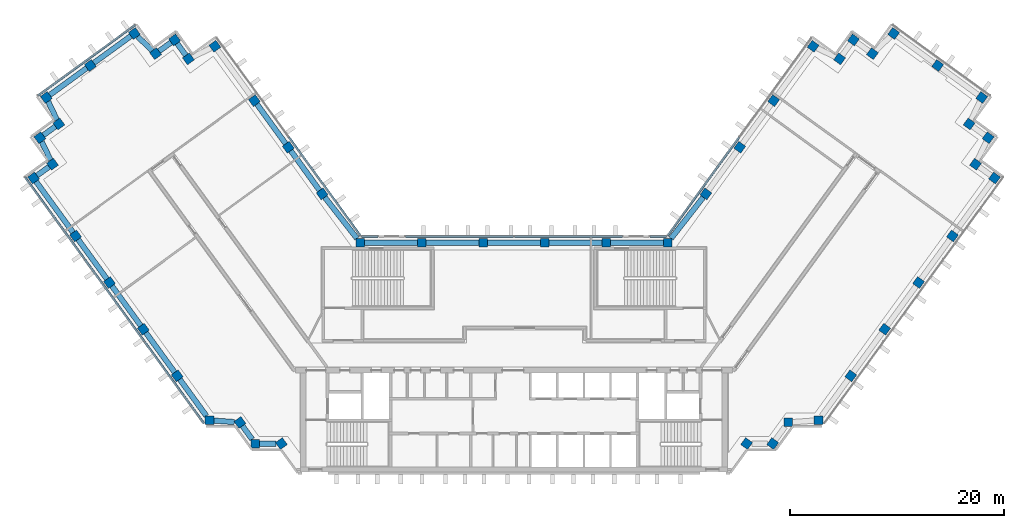
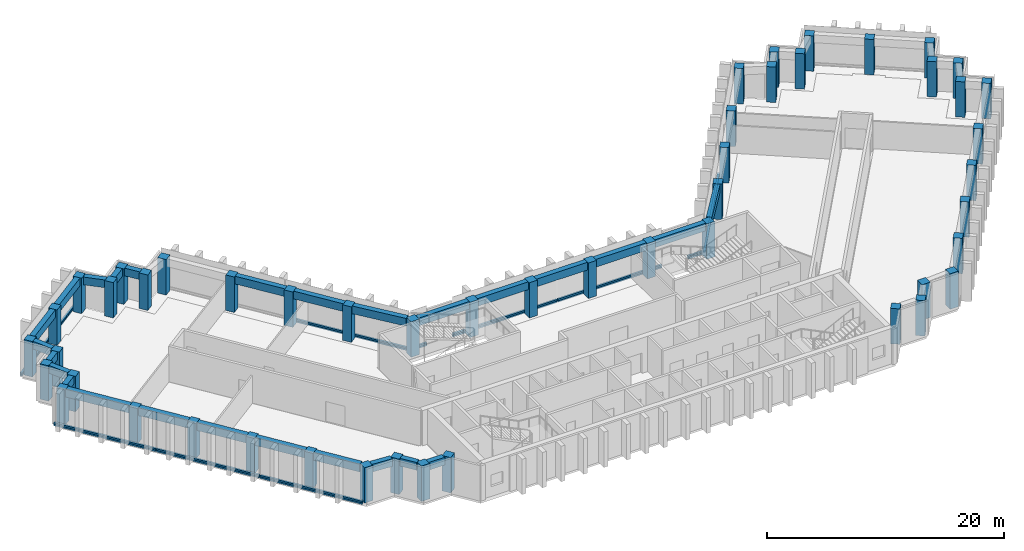
"""IFC4 building model written with IfcOpenShell, lengths in metres."""

from ifc_helpers import new_model, si_unit, direction, frame, origin, origin_2d, place, context, subcontext, project, spatial, rectangle, extrude, material, material_profile, profile_set, type_object, element, aggregate, save


model = new_model("IFC4")

# Units and contexts
model_context = context("Model", 3, precision=1e-05, world=origin(), true_north=direction((0.0, 1.0)))
body_context = subcontext(model_context, "Body", "Model", "MODEL_VIEW")
ifc_project = project(units=[si_unit("LENGTHUNIT", "METRE"), si_unit("AREAUNIT", "SQUARE_METRE"), si_unit("VOLUMEUNIT", "CUBIC_METRE"), si_unit("PLANEANGLEUNIT", "RADIAN"), si_unit("MASSUNIT", "GRAM", prefix="KILO")], contexts=[model_context])

# Site, building, storey
site_placement = place(None, origin())
site = spatial("IfcSite", under=ifc_project, at=site_placement, CompositionType="ELEMENT")
building_placement = place(site_placement, origin())
building = spatial("IfcBuilding", under=site, at=building_placement, Name="Quipu Civic Tower", CompositionType="ELEMENT")
storey_1_placement = place(building_placement, frame((0.0, 0.0, 180.0)))
storey_1 = spatial("IfcBuildingStorey", under=building, at=storey_1_placement, Name="L42", CompositionType="ELEMENT", Elevation=180.0)

# Columns
ifc_material_1 = material(Name="Concrete C60/75", Category="concrete")
ifc_material_profile_1 = material_profile(ifc_material_1, rectangle(XDim=0.800048828125, YDim=0.800048828125, at=origin_2d()), Name="RC800x800")
ifc_profile_set_1 = profile_set([ifc_material_profile_1], Name="Concrete C60/75")
column_type = type_object("IfcColumnType", Name="Perimeter column RC 800x800 C60/75", PredefinedType="COLUMN", material=ifc_profile_set_1)
for number, where, z_axis, x_axis, name in (
    (1, (-17.9736328125, 15.074951171875, 0.0), (0.0, 0.0, 1.0), (-0.587785252292, 0.809016994375, 0.0), "Column L42 W-IN-01"),
    (2, (-21.1474609375, 19.44384765625, 0.0), (0.0, 0.0, 1.0), (-0.587785252292, 0.809016994375, 0.0), "Column L42 W-IN-02"),
    (3, (-24.3212890625, 23.8125, 0.0), (0.0, 0.0, 1.0), (-0.587785252292, 0.809016994375, 0.0), "Column L42 W-IN-03"),
    (4, (-28.02001953125, 28.905029296875, 0.0), (0.0, 0.0, 1.0), (-0.809016994375, -0.587785252292, 0.0), "Column L42 T-Wi.0-W34"),
    (5, (-30.498779296875, 27.72265625, 0.0), (0.0, 0.0, 1.0), (-0.809016994375, -0.587785252292, 0.0), "Column L42 T-Wi.1-W34"),
    (6, (-31.794921875, 29.5, 0.0), (0.0, 0.0, 1.0), (-0.587785252292, 0.809016994375, 0.0), "Column L42 T-Wi.2-W34"),
    (7, (-33.573974609375, 28.20947265625, 0.0), (0.0, 0.0, 1.0), (-0.587785252292, 0.809016994375, 0.0), "Column L42 T-Wi.3-W34"),
    (8, (-35.56494140625, 30.10009765625, 0.0), (0.0, 0.0, 1.0), (-0.809016994375, -0.587785252292, 0.0), "Column L42 T-Wi.4-W34"),
    (9, (-39.690673828125, 27.10205078125, 0.0), (0.0, 0.0, 1.0), (-0.809016994375, -0.587785252292, 0.0), "Column L42 TIP-W-01-W34"),
    (10, (-43.81494140625, 24.10498046875, 0.0), (0.0, 0.0, 1.0), (-0.809016994375, -0.587785252292, 0.0), "Column L42 T-Wo.0-W34"),
    (11, (-42.635009765625, 21.626220703125, 0.0), (0.0, 0.0, 1.0), (-0.809016994375, -0.587785252292, 0.0), "Column L42 T-Wo.1-W34"),
    (12, (-44.4150390625, 20.3349609375, 0.0), (0.0, 0.0, 1.0), (0.587785252292, -0.809016994375, 0.0), "Column L42 T-Wo.2-W34"),
    (13, (-43.23095703125, 17.8544921875, 0.0), (0.0, 0.0, 1.0), (0.587785252292, -0.809016994375, 0.0), "Column L42 T-Wo.3-W34"),
    (14, (-45.010009765625, 16.56005859375, 0.0), (0.0, 0.0, 1.0), (0.587785252292, -0.809016994375, 0.0), "Column L42 T-Wo.4-W34"),
    (15, (-41.0703125, 11.137451171875, 0.0), (0.0, 0.0, 1.0), (0.587785252292, -0.809016994375, 0.0), "Column L42 W-OUT-04"),
    (16, (-37.896240234375, 6.768798828125, 0.0), (0.0, 0.0, 1.0), (0.587785252292, -0.809016994375, 0.0), "Column L42 W-OUT-03"),
    (17, (-34.722412109375, 2.39990234375, 0.0), (0.0, 0.0, 1.0), (0.587785252292, -0.809016994375, 0.0), "Column L42 W-OUT-02"),
    (18, (-31.54833984375, -1.96875, 0.0), (0.0, 0.0, 1.0), (0.587785252292, -0.809016994375, 0.0), "Column L42 W-OUT-01"),
    (19, (-28.52490234375, -6.1298828125, 0.0), (0.0, 0.0, 1.0), (1.0, 0.0, 0.0), "Column L42 J-Wo.0"),
    (20, (-25.67431640625, -6.3369140625, 0.0), (0.0, 0.0, 1.0), (0.587785252292, -0.809016994375, 0.0), "Column L42 J-Wo.1"),
    (21, (-24.235107421875, -8.31494140625, 0.0), (0.0, 0.0, 1.0), (1.0, 0.0, 0.0), "Column L42 J-Wo.2"),
    (22, (-21.791748046875, -8.31494140625, 0.0), (0.0, 0.0, 1.0), (0.587785252292, -0.809016994375, 0.0), "Column L42 J-Wo.3"),
    (23, (21.791748046875, -8.31494140625, 0.0), (0.0, 0.0, 1.0), (0.587785252292, 0.809016994375, 0.0), "Column L42 J-Eo.1"),
    (24, (24.235107421875, -8.31494140625, 0.0), (0.0, 0.0, 1.0), (0.587785252292, 0.809016994375, 0.0), "Column L42 J-Eo.2"),
    (25, (25.67431640625, -6.3369140625, 0.0), (0.0, 0.0, 1.0), (1.0, 0.0, 0.0), "Column L42 J-Eo.3"),
    (26, (28.52490234375, -6.1298828125, 0.0), (0.0, 0.0, 1.0), (1.0, 0.0, 0.0), "Column L42 J-Eo.4"),
    (27, (31.54833984375, -1.96875, 0.0), (0.0, 0.0, 1.0), (0.587785252292, 0.809016994375, 0.0), "Column L42 E-OUT-01"),
    (28, (34.722412109375, 2.39990234375, 0.0), (0.0, 0.0, 1.0), (0.587785252292, 0.809016994375, 0.0), "Column L42 E-OUT-02"),
    (29, (37.896240234375, 6.768798828125, 0.0), (0.0, 0.0, 1.0), (0.587785252292, 0.809016994375, 0.0), "Column L42 E-OUT-03"),
    (30, (41.0703125, 11.137451171875, 0.0), (0.0, 0.0, 1.0), (0.587785252292, 0.809016994375, 0.0), "Column L42 E-OUT-04"),
    (31, (45.010009765625, 16.56005859375, 0.0), (0.0, 0.0, 1.0), (0.587785252292, 0.809016994375, 0.0), "Column L42 T-Eo.0-E34"),
    (32, (43.23095703125, 17.8544921875, 0.0), (0.0, 0.0, 1.0), (0.587785252292, 0.809016994375, 0.0), "Column L42 T-Eo.1-E34"),
    (33, (44.4150390625, 20.3349609375, 0.0), (0.0, 0.0, 1.0), (0.587785252292, 0.809016994375, 0.0), "Column L42 T-Eo.2-E34"),
    (34, (42.635009765625, 21.626220703125, 0.0), (0.0, 0.0, 1.0), (-0.809016994375, 0.587785252292, 0.0), "Column L42 T-Eo.3-E34"),
    (35, (43.81494140625, 24.10498046875, 0.0), (0.0, 0.0, 1.0), (-0.809016994375, 0.587785252292, 0.0), "Column L42 T-Eo.4-E34"),
    (36, (39.690673828125, 27.10205078125, 0.0), (0.0, 0.0, 1.0), (-0.809016994375, 0.587785252292, 0.0), "Column L42 TIP-E-01-E34"),
    (37, (35.56494140625, 30.10009765625, 0.0), (0.0, 0.0, 1.0), (-0.587785252292, -0.809016994375, 0.0), "Column L42 T-Ei.0-E34"),
    (38, (33.573974609375, 28.20947265625, 0.0), (0.0, 0.0, 1.0), (-0.809016994375, 0.587785252292, 0.0), "Column L42 T-Ei.1-E34"),
    (39, (31.794921875, 29.5, 0.0), (0.0, 0.0, 1.0), (-0.587785252292, -0.809016994375, 0.0), "Column L42 T-Ei.2-E34"),
    (40, (30.498779296875, 27.72265625, 0.0), (0.0, 0.0, 1.0), (-0.809016994375, 0.587785252292, 0.0), "Column L42 T-Ei.3-E34"),
    (41, (28.02001953125, 28.905029296875, 0.0), (0.0, 0.0, 1.0), (-0.809016994375, 0.587785252292, 0.0), "Column L42 T-Ei.4-E34"),
    (42, (24.3212890625, 23.8125, 0.0), (0.0, 0.0, 1.0), (-0.587785252292, -0.809016994375, 0.0), "Column L42 E-IN-03"),
    (43, (21.1474609375, 19.44384765625, 0.0), (0.0, 0.0, 1.0), (-0.587785252292, -0.809016994375, 0.0), "Column L42 E-IN-02"),
    (44, (17.9736328125, 15.074951171875, 0.0), (0.0, 0.0, 1.0), (-0.587785252292, -0.809016994375, 0.0), "Column L42 E-IN-01"),
    (45, (14.395263671875, 10.5, 0.0), (0.0, 0.0, 1.0), (-1.0, 0.0, 0.0), "Column L42 J-Ei.0"),
    (46, (8.63720703125, 10.5, 0.0), (0.0, 0.0, 1.0), (-1.0, 0.0, 0.0), "Column L42 FRONT-01"),
    (47, (2.87890625, 10.5, 0.0), (0.0, 0.0, 1.0), (-1.0, 0.0, 0.0), "Column L42 FRONT-02"),
    (48, (-2.87890625, 10.5, 0.0), (0.0, 0.0, 1.0), (-1.0, 0.0, 0.0), "Column L42 FRONT-03"),
    (49, (-8.63720703125, 10.5, 0.0), (0.0, 0.0, 1.0), (-1.0, 0.0, 0.0), "Column L42 FRONT-04"),
    (50, (-14.395263671875, 10.5, 0.0), (0.0, 0.0, 1.0), (-1.0, 0.0, 0.0), "Column L42 J-Wi.0"),
):
    element("IfcColumn", number, at=place(storey_1_placement, frame(where, z_axis=z_axis, x_axis=x_axis)), inside=storey_1, type_object=column_type, Name=name, PredefinedType="COLUMN", context=body_context, shape_type="SweptSolid", body=[
        extrude(rectangle(XDim=0.800048828125, YDim=0.800048828125, at=origin_2d()), origin(), (0.0, 0.0, 1.0), 3.64990234375),
    ])

# Beams
ifc_material_2 = material(Name="Concrete C50/60", Category="concrete")
ifc_material_profile_2 = material_profile(ifc_material_2, rectangle(XDim=0.5, YDim=0.800048828125, at=origin_2d()), Name="RC500x800")
ifc_profile_set_2 = profile_set([ifc_material_profile_2], Name="Concrete C50/60")
beam_type = type_object("IfcBeamType", Name="Spandrel beam RC 500x800 C50/60", PredefinedType="SPANDREL", material=ifc_profile_set_2)
beam_1_placement = place(storey_1_placement, frame((-18.208740234375, 15.398681640625, 3.25), z_axis=(-0.58776136044, 0.809034352283, 0.0), x_axis=(-0.809034352283, -0.58776136044, 0.0)))
element("IfcBeam", 51, at=beam_1_placement, inside=storey_1, type_object=beam_type, Name="Spandrel beam L42 W-IN-01 to W-IN-02", PredefinedType="SPANDREL", context=body_context, shape_type="SweptSolid", body=[
    extrude(rectangle(XDim=0.5, YDim=0.800048828125, at=origin_2d()), origin(), (0.0, 0.0, 1.0), 4.599853515625),
])
beam_2_placement = place(storey_1_placement, frame((-21.382568359375, 19.767333984375, 3.25), z_axis=(-0.587736122681, 0.809052686848, 0.0), x_axis=(-0.809052686848, -0.587736122681, 0.0)))
element("IfcBeam", 52, at=beam_2_placement, inside=storey_1, type_object=beam_type, Name="Spandrel beam L42 W-IN-02 to W-IN-03", PredefinedType="SPANDREL", context=body_context, shape_type="SweptSolid", body=[
    extrude(rectangle(XDim=0.5, YDim=0.800048828125, at=origin_2d()), origin(), (0.0, 0.0, 1.0), 4.60009765625),
])
beam_3_placement = place(storey_1_placement, frame((-30.734375, 28.0458984375, 3.25), z_axis=(-0.589342949835, 0.80788296645, 0.0), x_axis=(-0.80788296645, -0.589342949835, 0.0)))
element("IfcBeam", 53, at=beam_3_placement, inside=storey_1, type_object=beam_type, Name="Spandrel beam L42 T-Wi.1-W34 to T-Wi.2-W34", PredefinedType="SPANDREL", context=body_context, shape_type="SweptSolid", body=[
    extrude(rectangle(XDim=0.5, YDim=0.800048828125, at=origin_2d()), origin(), (0.0, 0.0, 1.0), 1.39990234375),
])
beam_4_placement = place(storey_1_placement, frame((-32.118896484375, 29.26513671875, 3.25), z_axis=(-0.80941533633, -0.587236590578, 0.0), x_axis=(0.587236590578, -0.80941533633, 0.0)))
element("IfcBeam", 54, at=beam_4_placement, inside=storey_1, type_object=beam_type, Name="Spandrel beam L42 T-Wi.2-W34 to T-Wi.3-W34", PredefinedType="SPANDREL", context=body_context, shape_type="SweptSolid", body=[
    extrude(rectangle(XDim=0.5, YDim=0.800048828125, at=origin_2d()), origin(), (0.0, 0.0, 1.0), 1.397705078125),
])
beam_5_placement = place(storey_1_placement, frame((-33.868896484375, 28.489501953125, 3.25), z_axis=(-0.72519185421, 0.68854685722, 0.0), x_axis=(-0.68854685722, -0.72519185421, 0.0)))
element("IfcBeam", 55, at=beam_5_placement, inside=storey_1, type_object=beam_type, Name="Spandrel beam L42 T-Wi.3-W34 to T-Wi.4-W34", PredefinedType="SPANDREL", context=body_context, shape_type="SweptSolid", body=[
    extrude(rectangle(XDim=0.5, YDim=0.800048828125, at=origin_2d()), origin(), (0.0, 0.0, 1.0), 1.93212890625),
])
beam_6_placement = place(storey_1_placement, frame((-35.888671875, 29.86474609375, 3.25), z_axis=(-0.808983997561, -0.58783066583, 0.0), x_axis=(0.58783066583, -0.808983997561, 0.0)))
element("IfcBeam", 56, at=beam_6_placement, inside=storey_1, type_object=beam_type, Name="Spandrel beam L42 T-Wi.4-W34 to TIP-W-01-W34", PredefinedType="SPANDREL", context=body_context, shape_type="SweptSolid", body=[
    extrude(rectangle(XDim=0.5, YDim=0.800048828125, at=origin_2d()), origin(), (0.0, 0.0, 1.0), 4.2998046875),
])
beam_7_placement = place(storey_1_placement, frame((-40.014404296875, 26.866943359375, 3.25), z_axis=(-0.808947267178, -0.587881211578, 0.0), x_axis=(0.587881211578, -0.808947267178, 0.0)))
element("IfcBeam", 57, at=beam_7_placement, inside=storey_1, type_object=beam_type, Name="Spandrel beam L42 TIP-W-01-W34 to T-Wo.0-W34", PredefinedType="SPANDREL", context=body_context, shape_type="SweptSolid", body=[
    extrude(rectangle(XDim=0.5, YDim=0.800048828125, at=origin_2d()), origin(), (0.0, 0.0, 1.0), 4.29833984375),
])
beam_8_placement = place(storey_1_placement, frame((-43.64013671875, 23.737548828125, 3.25), z_axis=(0.429889421342, -0.902881545618, 0.0), x_axis=(0.902881545618, 0.429889421342, 0.0)))
element("IfcBeam", 58, at=beam_8_placement, inside=storey_1, type_object=beam_type, Name="Spandrel beam L42 T-Wo.0-W34 to T-Wo.1-W34", PredefinedType="SPANDREL", context=body_context, shape_type="SweptSolid", body=[
    extrude(rectangle(XDim=0.5, YDim=0.800048828125, at=origin_2d()), origin(), (0.0, 0.0, 1.0), 1.931396484375),
])
beam_9_placement = place(storey_1_placement, frame((-42.958740234375, 21.391357421875, 3.25), z_axis=(-0.809467380413, -0.587164849125, 0.0), x_axis=(0.587164849125, -0.809467380413, 0.0)))
element("IfcBeam", 59, at=beam_9_placement, inside=storey_1, type_object=beam_type, Name="Spandrel beam L42 T-Wo.1-W34 to T-Wo.2-W34", PredefinedType="SPANDREL", context=body_context, shape_type="SweptSolid", body=[
    extrude(rectangle(XDim=0.5, YDim=0.800048828125, at=origin_2d()), origin(), (0.0, 0.0, 1.0), 1.399169921875),
])
beam_10_placement = place(storey_1_placement, frame((-44.23974609375, 19.9677734375, 3.25), z_axis=(0.430785642718, -0.902454281406, 0.0), x_axis=(0.902454281406, 0.430785642718, 0.0)))
element("IfcBeam", 60, at=beam_10_placement, inside=storey_1, type_object=beam_type, Name="Spandrel beam L42 T-Wo.2-W34 to T-Wo.3-W34", PredefinedType="SPANDREL", context=body_context, shape_type="SweptSolid", body=[
    extrude(rectangle(XDim=0.5, YDim=0.800048828125, at=origin_2d()), origin(), (0.0, 0.0, 1.0), 1.934814453125),
])
beam_11_placement = place(storey_1_placement, frame((-43.554443359375, 17.619140625, 3.25), z_axis=(-0.808600329101, -0.588358315805, 0.0), x_axis=(0.588358315805, -0.808600329101, 0.0)))
element("IfcBeam", 61, at=beam_11_placement, inside=storey_1, type_object=beam_type, Name="Spandrel beam L42 T-Wo.3-W34 to T-Wo.4-W34", PredefinedType="SPANDREL", context=body_context, shape_type="SweptSolid", body=[
    extrude(rectangle(XDim=0.5, YDim=0.800048828125, at=origin_2d()), origin(), (0.0, 0.0, 1.0), 1.400146484375),
])
beam_12_placement = place(storey_1_placement, frame((-44.77490234375, 16.236328125, 3.25), z_axis=(0.58780026889, -0.809006083965, 0.0), x_axis=(0.809006083965, 0.58780026889, 0.0)))
element("IfcBeam", 62, at=beam_12_placement, inside=storey_1, type_object=beam_type, Name="Spandrel beam L42 T-Wo.4-W34 to W-OUT-04", PredefinedType="SPANDREL", context=body_context, shape_type="SweptSolid", body=[
    extrude(rectangle(XDim=0.5, YDim=0.800048828125, at=origin_2d()), origin(), (0.0, 0.0, 1.0), 5.902587890625),
])
beam_13_placement = place(storey_1_placement, frame((-40.835205078125, 10.81396484375, 3.25), z_axis=(0.587770861189, -0.809027449928, 0.0), x_axis=(0.809027449928, 0.587770861189, 0.0)))
element("IfcBeam", 63, at=beam_13_placement, inside=storey_1, type_object=beam_type, Name="Spandrel beam L42 W-OUT-04 to W-OUT-03", PredefinedType="SPANDREL", context=body_context, shape_type="SweptSolid", body=[
    extrude(rectangle(XDim=0.5, YDim=0.800048828125, at=origin_2d()), origin(), (0.0, 0.0, 1.0), 4.60009765625),
])
beam_14_placement = place(storey_1_placement, frame((-37.6611328125, 6.445068359375, 3.25), z_axis=(0.58776136044, -0.809034352283, 0.0), x_axis=(0.809034352283, 0.58776136044, 0.0)))
element("IfcBeam", 64, at=beam_14_placement, inside=storey_1, type_object=beam_type, Name="Spandrel beam L42 W-OUT-03 to W-OUT-02", PredefinedType="SPANDREL", context=body_context, shape_type="SweptSolid", body=[
    extrude(rectangle(XDim=0.5, YDim=0.800048828125, at=origin_2d()), origin(), (0.0, 0.0, 1.0), 4.599853515625),
])
beam_15_placement = place(storey_1_placement, frame((-34.4873046875, 2.076416015625, 3.25), z_axis=(0.587796098864, -0.809009113768, 0.0), x_axis=(0.809009113768, 0.587796098864, 0.0)))
element("IfcBeam", 65, at=beam_15_placement, inside=storey_1, type_object=beam_type, Name="Spandrel beam L42 W-OUT-02 to W-OUT-01", PredefinedType="SPANDREL", context=body_context, shape_type="SweptSolid", body=[
    extrude(rectangle(XDim=0.5, YDim=0.800048828125, at=origin_2d()), origin(), (0.0, 0.0, 1.0), 4.60009765625),
])
beam_16_placement = place(storey_1_placement, frame((-31.313232421875, -2.292236328125, 3.25), z_axis=(0.58776850526, -0.809029161541, 0.0), x_axis=(0.809029161541, 0.58776850526, 0.0)))
element("IfcBeam", 66, at=beam_16_placement, inside=storey_1, type_object=beam_type, Name="Spandrel beam L42 W-OUT-01 to J-Wo.0", PredefinedType="SPANDREL", context=body_context, shape_type="SweptSolid", body=[
    extrude(rectangle(XDim=0.5, YDim=0.800048828125, at=origin_2d()), origin(), (0.0, 0.0, 1.0), 4.249267578125),
])
beam_17_placement = place(storey_1_placement, frame((-28.125, -6.158935546875, 3.25), z_axis=(0.997370796499, -0.072467194581, 0.0), x_axis=(0.072467194581, 0.997370796499, 0.0)))
element("IfcBeam", 67, at=beam_17_placement, inside=storey_1, type_object=beam_type, Name="Spandrel beam L42 J-Wo.0 to J-Wo.1", PredefinedType="SPANDREL", context=body_context, shape_type="SweptSolid", body=[
    extrude(rectangle(XDim=0.5, YDim=0.800048828125, at=origin_2d()), origin(), (0.0, 0.0, 1.0), 1.933837890625),
])
beam_18_placement = place(storey_1_placement, frame((-25.43896484375, -6.660400390625, 3.25), z_axis=(0.588330737135, -0.808620395329, 0.0), x_axis=(0.808620395329, 0.588330737135, 0.0)))
element("IfcBeam", 68, at=beam_18_placement, inside=storey_1, type_object=beam_type, Name="Spandrel beam L42 J-Wo.1 to J-Wo.2", PredefinedType="SPANDREL", context=body_context, shape_type="SweptSolid", body=[
    extrude(rectangle(XDim=0.5, YDim=0.800048828125, at=origin_2d()), origin(), (0.0, 0.0, 1.0), 1.551513671875),
])
beam_19_placement = place(storey_1_placement, frame((-23.8349609375, -8.31494140625, 3.25), z_axis=(1.0, 0.0, 0.0), x_axis=(0.0, 1.0, 0.0)))
element("IfcBeam", 69, at=beam_19_placement, inside=storey_1, type_object=beam_type, Name="Spandrel beam L42 J-Wo.2 to J-Wo.3", PredefinedType="SPANDREL", context=body_context, shape_type="SweptSolid", body=[
    extrude(rectangle(XDim=0.5, YDim=0.800048828125, at=origin_2d()), origin(), (0.0, 0.0, 1.0), 1.548828125),
])
beam_20_placement = place(storey_1_placement, frame((17.72705078125, 14.759765625, 3.25), z_axis=(-0.616090612932, -0.787675286306, 0.0), x_axis=(0.787675286306, -0.616090612932, 0.0)))
element("IfcBeam", 70, at=beam_20_placement, inside=storey_1, type_object=beam_type, Name="Spandrel beam L42 E-IN-01 to J-Ei.0", PredefinedType="SPANDREL", context=body_context, shape_type="SweptSolid", body=[
    extrude(rectangle(XDim=0.5, YDim=0.800048828125, at=origin_2d()), origin(), (0.0, 0.0, 1.0), 4.900390625),
])
for number, where, z_axis, x_axis, name in (
    (71, (13.9951171875, 10.5, 3.25), (-1.0, 0.0, 0.0), (0.0, -1.0, 0.0), "Spandrel beam L42 J-Ei.0 to FRONT-01"),
    (72, (8.237060546875, 10.5, 3.25), (-1.0, 0.0, 0.0), (0.0, -1.0, 0.0), "Spandrel beam L42 FRONT-01 to FRONT-02"),
    (73, (2.47900390625, 10.5, 3.25), (-1.0, 0.0, 0.0), (0.0, -1.0, 0.0), "Spandrel beam L42 FRONT-02 to FRONT-03"),
    (74, (-3.279052734375, 10.5, 3.25), (-1.0, 0.0, 0.0), (0.0, -1.0, 0.0), "Spandrel beam L42 FRONT-03 to FRONT-04"),
    (75, (-9.037109375, 10.5, 3.25), (-1.0, 0.0, 0.0), (0.0, -1.0, 0.0), "Spandrel beam L42 FRONT-04 to J-Wi.0"),
):
    element("IfcBeam", number, at=place(storey_1_placement, frame(where, z_axis=z_axis, x_axis=x_axis)), inside=storey_1, type_object=beam_type, Name=name, PredefinedType="SPANDREL", context=body_context, shape_type="SweptSolid", body=[
        extrude(rectangle(XDim=0.5, YDim=0.800048828125, at=origin_2d()), origin(), (0.0, 0.0, 1.0), 4.9580078125),
    ])
beam_21_placement = place(storey_1_placement, frame((-14.7080078125, 10.89990234375, 3.25), z_axis=(-0.616090612932, 0.787675286306, 0.0), x_axis=(-0.787675286306, -0.616090612932, 0.0)))
element("IfcBeam", 76, at=beam_21_placement, inside=storey_1, type_object=beam_type, Name="Spandrel beam L42 J-Wi.0 to W-IN-01", PredefinedType="SPANDREL", context=body_context, shape_type="SweptSolid", body=[
    extrude(rectangle(XDim=0.5, YDim=0.800048828125, at=origin_2d()), origin(), (0.0, 0.0, 1.0), 4.900390625),
])

# Storey
storey_2_placement = place(building_placement, frame((0.0, 0.0, 172.0)))
storey_2 = spatial("IfcBuildingStorey", under=building, at=storey_2_placement, Name="L40", CompositionType="ELEMENT", Elevation=172.0)

# Curtain wall, member
ifc_material_3 = material(Name="Insulated glass unit", Category="glass")
curtain_wall_type = type_object("IfcCurtainWallType", Name="Office curtain wall CW1", PredefinedType="NOTDEFINED", material=ifc_material_3)
curtain_wall_1_placement = place(storey_2_placement, origin())
curtain_wall_1 = element("IfcCurtainWall", 77, at=curtain_wall_1_placement, inside=storey_2, type_object=curtain_wall_type, Name="Office curtain wall CW1 L39 run 1", PredefinedType="NOTDEFINED")
ifc_material_4 = material(Name="Anodised aluminium", Category="aluminium")
ifc_material_profile_3 = material_profile(ifc_material_4, rectangle(XDim=0.199951171875, YDim=0.159912109375, at=origin_2d()), Name="RECT 200x160")
ifc_profile_set_3 = profile_set([ifc_material_profile_3], Name="Anodised aluminium")
member_type = type_object("IfcMemberType", Name="Transom CW1", PredefinedType="USERDEFINED", material=ifc_profile_set_3)
member_1_placement = place(storey_1_placement, frame((-14.39111328125, 11.164794921875, 0.0), z_axis=(-0.587799878401, 0.809006367683, 0.0), x_axis=(-0.809006367683, -0.587799878401, 0.0)))
member_1 = element("IfcMember", 78, at=member_1_placement, inside=storey_1, type_object=member_type, Name="CW1 transom 1.4", ObjectType="TRANSOM", PredefinedType="USERDEFINED", context=body_context, shape_type="SweptSolid", body=[
    extrude(rectangle(XDim=0.199951171875, YDim=0.159912109375, at=origin_2d()), origin(), (0.0, 0.0, 1.0), 11.402099609375),
])
aggregate(curtain_wall_1, [member_1])

curtain_wall_2_placement = place(storey_2_placement, origin())
curtain_wall_2 = element("IfcCurtainWall", 79, at=curtain_wall_2_placement, inside=storey_2, type_object=curtain_wall_type, Name="Office curtain wall CW1 L39 run 6", PredefinedType="NOTDEFINED")
member_2_placement = place(storey_1_placement, frame((-35.496826171875, 30.890869140625, 0.0), z_axis=(-0.809014959561, -0.587788052963, 0.0), x_axis=(0.587788052963, -0.809014959561, 0.0)))
member_2 = element("IfcMember", 80, at=member_2_placement, inside=storey_1, type_object=member_type, Name="CW1 transom 1.4", ObjectType="TRANSOM", PredefinedType="USERDEFINED", context=body_context, shape_type="SweptSolid", body=[
    extrude(rectangle(XDim=0.199951171875, YDim=0.159912109375, at=origin_2d()), origin(), (0.0, 0.0, 1.0), 11.239990234375),
])
aggregate(curtain_wall_2, [member_2])

# Curtain wall, members
curtain_wall_3_placement = place(storey_2_placement, origin())
curtain_wall_3 = element("IfcCurtainWall", 81, at=curtain_wall_3_placement, inside=storey_2, type_object=curtain_wall_type, Name="Office curtain wall CW1 L39 run 8", PredefinedType="NOTDEFINED")
member_3_placement = place(storey_1_placement, frame((-45.802490234375, 16.629638671875, 0.0), z_axis=(0.587783783239, -0.809018061703, 0.0), x_axis=(0.809018061703, 0.587783783239, 0.0)))
member_3 = element("IfcMember", 82, at=member_3_placement, inside=storey_1, type_object=member_type, Name="CW1 transom 1.4", ObjectType="TRANSOM", PredefinedType="USERDEFINED", context=body_context, shape_type="SweptSolid", body=[
    extrude(rectangle(XDim=0.199951171875, YDim=0.159912109375, at=origin_2d()), origin(), (0.0, 0.0, 1.0), 9.431884765625),
])
member_4_placement = place(storey_1_placement, frame((-40.21142578125, 8.934326171875, 0.0), z_axis=(0.587773158676, -0.809025780763, 0.0), x_axis=(0.809025780763, 0.587773158676, 0.0)))
member_4 = element("IfcMember", 83, at=member_4_placement, inside=storey_1, type_object=member_type, Name="CW1 transom 2.4", ObjectType="TRANSOM", PredefinedType="USERDEFINED", context=body_context, shape_type="SweptSolid", body=[
    extrude(rectangle(XDim=0.199951171875, YDim=0.159912109375, at=origin_2d()), origin(), (0.0, 0.0, 1.0), 9.471923828125),
])
member_5_placement = place(storey_1_placement, frame((-34.596923828125, 1.20654296875, 0.0), z_axis=(0.587783783239, -0.809018061703, 0.0), x_axis=(0.809018061703, 0.587783783239, 0.0)))
member_5 = element("IfcMember", 84, at=member_5_placement, inside=storey_1, type_object=member_type, Name="CW1 transom 3.4", ObjectType="TRANSOM", PredefinedType="USERDEFINED", context=body_context, shape_type="SweptSolid", body=[
    extrude(rectangle(XDim=0.199951171875, YDim=0.159912109375, at=origin_2d()), origin(), (0.0, 0.0, 1.0), 9.431884765625),
])
aggregate(curtain_wall_3, [member_3, member_4, member_5])

# Curtain wall, member
curtain_wall_4_placement = place(storey_2_placement, origin())
curtain_wall_4 = element("IfcCurtainWall", 85, at=curtain_wall_4_placement, inside=storey_2, type_object=curtain_wall_type, Name="Office curtain wall CW1 L39 run 30", PredefinedType="NOTDEFINED")
member_6_placement = place(storey_1_placement, frame((21.09326171875, 20.38916015625, 0.0), z_axis=(-0.587799878401, -0.809006367683, 0.0), x_axis=(0.809006367683, -0.587799878401, 0.0)))
member_6 = element("IfcMember", 86, at=member_6_placement, inside=storey_1, type_object=member_type, Name="CW1 transom 2.4", ObjectType="TRANSOM", PredefinedType="USERDEFINED", context=body_context, shape_type="SweptSolid", body=[
    extrude(rectangle(XDim=0.199951171875, YDim=0.159912109375, at=origin_2d()), origin(), (0.0, 0.0, 1.0), 11.402099609375),
])
aggregate(curtain_wall_4, [member_6])

curtain_wall_5_placement = place(storey_2_placement, origin())
curtain_wall_5 = element("IfcCurtainWall", 87, at=curtain_wall_5_placement, inside=storey_2, type_object=curtain_wall_type, Name="Office curtain wall CW1 L39 run 31", PredefinedType="NOTDEFINED")
member_7_placement = place(storey_1_placement, frame((14.26416015625, 11.10009765625, 0.0), z_axis=(-1.0, 0.0, 0.0), x_axis=(0.0, -1.0, 0.0)))
member_7 = element("IfcMember", 88, at=member_7_placement, inside=storey_1, type_object=member_type, Name="CW1 transom 1.4", ObjectType="TRANSOM", PredefinedType="USERDEFINED", context=body_context, shape_type="SweptSolid", body=[
    extrude(rectangle(XDim=0.199951171875, YDim=0.159912109375, at=origin_2d()), origin(), (0.0, 0.0, 1.0), 1.529052734375),
])
aggregate(curtain_wall_5, [member_7])

# Curtain wall, members
curtain_wall_6_placement = place(storey_2_placement, origin())
curtain_wall_6 = element("IfcCurtainWall", 89, at=curtain_wall_6_placement, inside=storey_2, type_object=curtain_wall_type, Name="Office curtain wall CW1 L39 run 33", PredefinedType="NOTDEFINED")
member_8_placement = place(storey_1_placement, frame((10.18359375, 11.10009765625, 0.0), z_axis=(-1.0, 0.0, 0.0), x_axis=(0.0, -1.0, 0.0)))
member_8 = element("IfcMember", 90, at=member_8_placement, inside=storey_1, type_object=member_type, Name="CW1 transom 1.4", ObjectType="TRANSOM", PredefinedType="USERDEFINED", context=body_context, shape_type="SweptSolid", body=[
    extrude(rectangle(XDim=0.199951171875, YDim=0.159912109375, at=origin_2d()), origin(), (0.0, 0.0, 1.0), 10.1435546875),
])
member_9_placement = place(storey_1_placement, frame((-0.0400390625, 11.10009765625, 0.0), z_axis=(-1.0, 0.0, 0.0), x_axis=(0.0, -1.0, 0.0)))
member_9 = element("IfcMember", 91, at=member_9_placement, inside=storey_1, type_object=member_type, Name="CW1 transom 2.4", ObjectType="TRANSOM", PredefinedType="USERDEFINED", context=body_context, shape_type="SweptSolid", body=[
    extrude(rectangle(XDim=0.199951171875, YDim=0.159912109375, at=origin_2d()), origin(), (0.0, 0.0, 1.0), 10.1435546875),
])
aggregate(curtain_wall_6, [member_8, member_9])

# Curtain wall, member
curtain_wall_7_placement = place(storey_2_placement, origin())
curtain_wall_7 = element("IfcCurtainWall", 92, at=curtain_wall_7_placement, inside=storey_2, type_object=curtain_wall_type, Name="Office curtain wall CW1 L39 run 35", PredefinedType="NOTDEFINED")
member_10_placement = place(storey_1_placement, frame((-12.735107421875, 11.10009765625, 0.0), z_axis=(-1.0, 0.0, 0.0), x_axis=(0.0, -1.0, 0.0)))
member_10 = element("IfcMember", 93, at=member_10_placement, inside=storey_1, type_object=member_type, Name="CW1 transom 1.4", ObjectType="TRANSOM", PredefinedType="USERDEFINED", context=body_context, shape_type="SweptSolid", body=[
    extrude(rectangle(XDim=0.199951171875, YDim=0.159912109375, at=origin_2d()), origin(), (0.0, 0.0, 1.0), 1.529052734375),
])
aggregate(curtain_wall_7, [member_10])

# Storey
storey_3_placement = place(building_placement, frame((0.0, 0.0, 184.0)))
storey_3 = spatial("IfcBuildingStorey", under=building, at=storey_3_placement, Name="L43", CompositionType="ELEMENT", Elevation=184.0)

# Curtain wall, member
curtain_wall_8_placement = place(storey_3_placement, origin())
curtain_wall_8 = element("IfcCurtainWall", 94, at=curtain_wall_8_placement, inside=storey_3, type_object=curtain_wall_type, Name="Office curtain wall CW1 L42 run 1", PredefinedType="NOTDEFINED")
member_11_placement = place(storey_1_placement, frame((-14.39111328125, 11.164794921875, 0.159912109375), z_axis=(-0.587799878401, 0.809006367683, 0.0), x_axis=(-0.809006367683, -0.587799878401, 0.0)))
member_11 = element("IfcMember", 95, at=member_11_placement, inside=storey_1, type_object=member_type, Name="CW1 transom 1.1", ObjectType="TRANSOM", PredefinedType="USERDEFINED", context=body_context, shape_type="SweptSolid", body=[
    extrude(rectangle(XDim=0.199951171875, YDim=0.159912109375, at=origin_2d()), origin(), (0.0, 0.0, 1.0), 11.402099609375),
])
aggregate(curtain_wall_8, [member_11])

curtain_wall_9_placement = place(storey_3_placement, origin())
curtain_wall_9 = element("IfcCurtainWall", 96, at=curtain_wall_9_placement, inside=storey_3, type_object=curtain_wall_type, Name="Office curtain wall CW1 L42 run 6", PredefinedType="NOTDEFINED")
member_12_placement = place(storey_1_placement, frame((-35.496826171875, 30.890869140625, 0.159912109375), z_axis=(-0.809014959561, -0.587788052963, 0.0), x_axis=(0.587788052963, -0.809014959561, 0.0)))
member_12 = element("IfcMember", 97, at=member_12_placement, inside=storey_1, type_object=member_type, Name="CW1 transom 1.1", ObjectType="TRANSOM", PredefinedType="USERDEFINED", context=body_context, shape_type="SweptSolid", body=[
    extrude(rectangle(XDim=0.199951171875, YDim=0.159912109375, at=origin_2d()), origin(), (0.0, 0.0, 1.0), 11.239990234375),
])
aggregate(curtain_wall_9, [member_12])

# Curtain wall, members
curtain_wall_10_placement = place(storey_3_placement, origin())
curtain_wall_10 = element("IfcCurtainWall", 98, at=curtain_wall_10_placement, inside=storey_3, type_object=curtain_wall_type, Name="Office curtain wall CW1 L42 run 8", PredefinedType="NOTDEFINED")
member_13_placement = place(storey_1_placement, frame((-45.802490234375, 16.629638671875, 0.159912109375), z_axis=(0.587783783239, -0.809018061703, 0.0), x_axis=(0.809018061703, 0.587783783239, 0.0)))
member_13 = element("IfcMember", 99, at=member_13_placement, inside=storey_1, type_object=member_type, Name="CW1 transom 1.1", ObjectType="TRANSOM", PredefinedType="USERDEFINED", context=body_context, shape_type="SweptSolid", body=[
    extrude(rectangle(XDim=0.199951171875, YDim=0.159912109375, at=origin_2d()), origin(), (0.0, 0.0, 1.0), 9.431884765625),
])
member_14_placement = place(storey_1_placement, frame((-40.21142578125, 8.934326171875, 0.159912109375), z_axis=(0.587773158676, -0.809025780763, 0.0), x_axis=(0.809025780763, 0.587773158676, 0.0)))
member_14 = element("IfcMember", 100, at=member_14_placement, inside=storey_1, type_object=member_type, Name="CW1 transom 2.1", ObjectType="TRANSOM", PredefinedType="USERDEFINED", context=body_context, shape_type="SweptSolid", body=[
    extrude(rectangle(XDim=0.199951171875, YDim=0.159912109375, at=origin_2d()), origin(), (0.0, 0.0, 1.0), 9.471923828125),
])
member_15_placement = place(storey_1_placement, frame((-34.596923828125, 1.20654296875, 0.159912109375), z_axis=(0.587783783239, -0.809018061703, 0.0), x_axis=(0.809018061703, 0.587783783239, 0.0)))
member_15 = element("IfcMember", 101, at=member_15_placement, inside=storey_1, type_object=member_type, Name="CW1 transom 3.1", ObjectType="TRANSOM", PredefinedType="USERDEFINED", context=body_context, shape_type="SweptSolid", body=[
    extrude(rectangle(XDim=0.199951171875, YDim=0.159912109375, at=origin_2d()), origin(), (0.0, 0.0, 1.0), 9.431884765625),
])
aggregate(curtain_wall_10, [member_13, member_14, member_15])

# Curtain wall, member
curtain_wall_11_placement = place(storey_3_placement, origin())
curtain_wall_11 = element("IfcCurtainWall", 102, at=curtain_wall_11_placement, inside=storey_3, type_object=curtain_wall_type, Name="Office curtain wall CW1 L42 run 30", PredefinedType="NOTDEFINED")
member_16_placement = place(storey_1_placement, frame((21.09326171875, 20.38916015625, 0.159912109375), z_axis=(-0.587799878401, -0.809006367683, 0.0), x_axis=(0.809006367683, -0.587799878401, 0.0)))
member_16 = element("IfcMember", 103, at=member_16_placement, inside=storey_1, type_object=member_type, Name="CW1 transom 2.1", ObjectType="TRANSOM", PredefinedType="USERDEFINED", context=body_context, shape_type="SweptSolid", body=[
    extrude(rectangle(XDim=0.199951171875, YDim=0.159912109375, at=origin_2d()), origin(), (0.0, 0.0, 1.0), 11.402099609375),
])
aggregate(curtain_wall_11, [member_16])

curtain_wall_12_placement = place(storey_3_placement, origin())
curtain_wall_12 = element("IfcCurtainWall", 104, at=curtain_wall_12_placement, inside=storey_3, type_object=curtain_wall_type, Name="Office curtain wall CW1 L42 run 31", PredefinedType="NOTDEFINED")
member_17_placement = place(storey_1_placement, frame((14.26416015625, 11.10009765625, 0.159912109375), z_axis=(-1.0, 0.0, 0.0), x_axis=(0.0, -1.0, 0.0)))
member_17 = element("IfcMember", 105, at=member_17_placement, inside=storey_1, type_object=member_type, Name="CW1 transom 1.1", ObjectType="TRANSOM", PredefinedType="USERDEFINED", context=body_context, shape_type="SweptSolid", body=[
    extrude(rectangle(XDim=0.199951171875, YDim=0.159912109375, at=origin_2d()), origin(), (0.0, 0.0, 1.0), 1.529052734375),
])
aggregate(curtain_wall_12, [member_17])

# Curtain wall, members
curtain_wall_13_placement = place(storey_3_placement, origin())
curtain_wall_13 = element("IfcCurtainWall", 106, at=curtain_wall_13_placement, inside=storey_3, type_object=curtain_wall_type, Name="Office curtain wall CW1 L42 run 33", PredefinedType="NOTDEFINED")
member_18_placement = place(storey_1_placement, frame((10.18359375, 11.10009765625, 0.159912109375), z_axis=(-1.0, 0.0, 0.0), x_axis=(0.0, -1.0, 0.0)))
member_18 = element("IfcMember", 107, at=member_18_placement, inside=storey_1, type_object=member_type, Name="CW1 transom 1.1", ObjectType="TRANSOM", PredefinedType="USERDEFINED", context=body_context, shape_type="SweptSolid", body=[
    extrude(rectangle(XDim=0.199951171875, YDim=0.159912109375, at=origin_2d()), origin(), (0.0, 0.0, 1.0), 10.1435546875),
])
member_19_placement = place(storey_1_placement, frame((-0.0400390625, 11.10009765625, 0.159912109375), z_axis=(-1.0, 0.0, 0.0), x_axis=(0.0, -1.0, 0.0)))
member_19 = element("IfcMember", 108, at=member_19_placement, inside=storey_1, type_object=member_type, Name="CW1 transom 2.1", ObjectType="TRANSOM", PredefinedType="USERDEFINED", context=body_context, shape_type="SweptSolid", body=[
    extrude(rectangle(XDim=0.199951171875, YDim=0.159912109375, at=origin_2d()), origin(), (0.0, 0.0, 1.0), 10.1435546875),
])
aggregate(curtain_wall_13, [member_18, member_19])

# Curtain wall, member
curtain_wall_14_placement = place(storey_3_placement, origin())
curtain_wall_14 = element("IfcCurtainWall", 109, at=curtain_wall_14_placement, inside=storey_3, type_object=curtain_wall_type, Name="Office curtain wall CW1 L42 run 35", PredefinedType="NOTDEFINED")
member_20_placement = place(storey_1_placement, frame((-12.735107421875, 11.10009765625, 0.159912109375), z_axis=(-1.0, 0.0, 0.0), x_axis=(0.0, -1.0, 0.0)))
member_20 = element("IfcMember", 110, at=member_20_placement, inside=storey_1, type_object=member_type, Name="CW1 transom 1.1", ObjectType="TRANSOM", PredefinedType="USERDEFINED", context=body_context, shape_type="SweptSolid", body=[
    extrude(rectangle(XDim=0.199951171875, YDim=0.159912109375, at=origin_2d()), origin(), (0.0, 0.0, 1.0), 1.529052734375),
])
aggregate(curtain_wall_14, [member_20])

save(model, "model.ifc")
